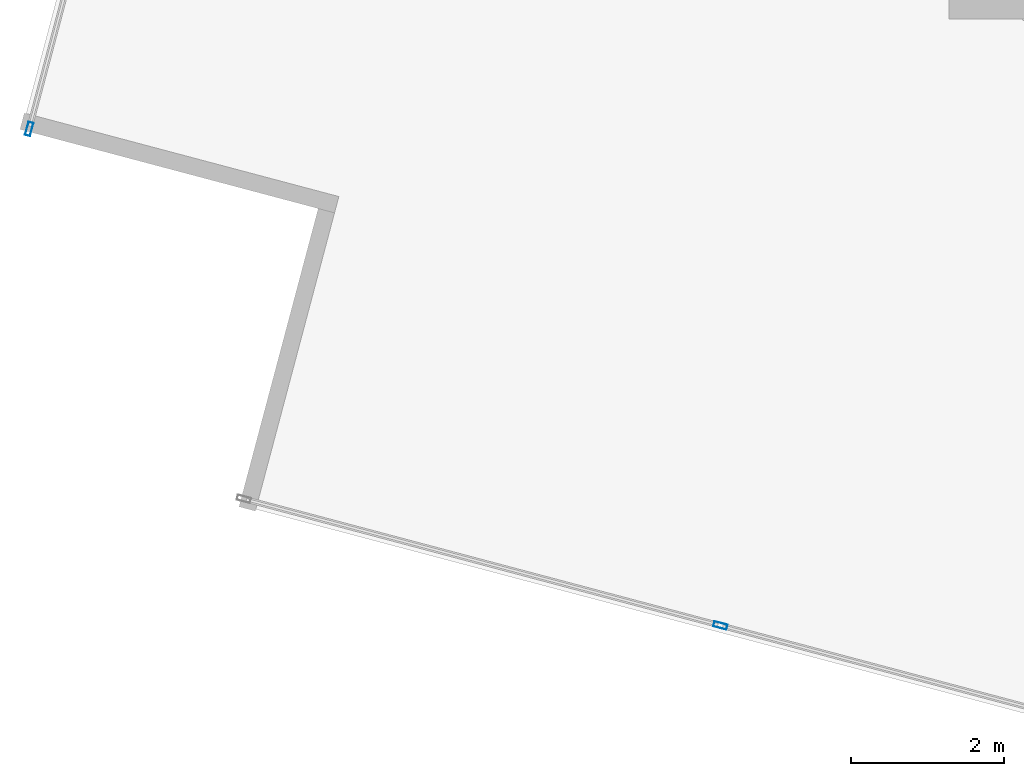
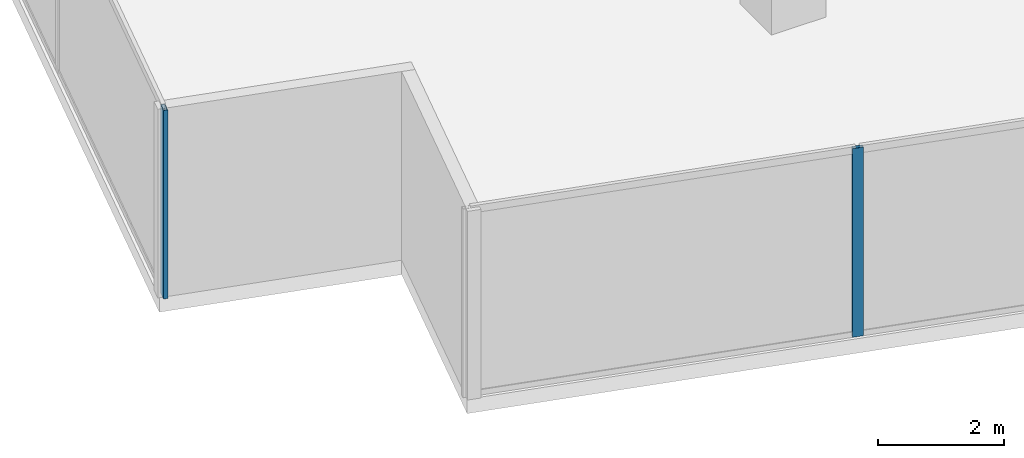
# One storey, part 3 of 27: 2 members, 2 elements without a shape of their own.
"""IFC4 building model written with IfcOpenShell, lengths in metres."""

from ifc_helpers import new_model, si_unit, direction, frame, origin, origin_2d, place, context, subcontext, project, spatial, hollow_rectangle, extrude, source, transform, mapped, material, material_profile, profile_set, type_object, type_shapes, element, aggregate, save


model = new_model("IFC4")

# Units and contexts
model_context = context("Model", 3, precision=1e-05, world=origin(), true_north=direction((0.0, 1.0)))
body_context = subcontext(model_context, "Body", "Model", "MODEL_VIEW")
ifc_project = project(units=[si_unit("LENGTHUNIT", "METRE"), si_unit("AREAUNIT", "SQUARE_METRE"), si_unit("VOLUMEUNIT", "CUBIC_METRE"), si_unit("PLANEANGLEUNIT", "RADIAN"), si_unit("MASSUNIT", "GRAM", prefix="KILO")], contexts=[model_context])

# Site, building, storey
site_placement = place(None, origin())
site = spatial("IfcSite", under=ifc_project, at=site_placement, CompositionType="ELEMENT")
building_placement = place(site_placement, origin())
building = spatial("IfcBuilding", under=site, at=building_placement, Name="Krantzveldt Concourse Tower", CompositionType="ELEMENT")
storey_placement = place(building_placement, frame((0.0, 0.0, 105.85009765625)))
storey = spatial("IfcBuildingStorey", under=building, at=storey_placement, Name="L25", CompositionType="ELEMENT", Elevation=105.85009765625)

# Curtain wall, member
ifc_material = material(Name="Anodised aluminium 6063-T6", Category="aluminium")
curtain_wall_type = type_object("IfcCurtainWallType", Name="CW2", PredefinedType="USERDEFINED", material=ifc_material)
curtain_wall_1_placement = place(storey_placement, origin())
curtain_wall_1 = element("IfcCurtainWall", 1, at=curtain_wall_1_placement, inside=storey, type_object=curtain_wall_type, Name="CW-L25-F01", ObjectType="UNITISED CURTAIN WALL", PredefinedType="USERDEFINED")
ifc_material_profile = material_profile(ifc_material, hollow_rectangle(XDim=0.070068359375, YDim=0.179931640625, WallThickness=0.0048828125, at=origin_2d()), Name="Anodised aluminium 6063-T6", Category="aluminium")
ifc_profile_set = profile_set([ifc_material_profile], Name="Anodised aluminium 6063-T6 - ALU-MULL 180x70x5")
member_type = type_object("IfcMemberType", Name="CW-MUL-180", PredefinedType="MULLION", material=ifc_profile_set)
shared_shape = source(origin(), body_context, "Body", "SweptSolid", [
    extrude(hollow_rectangle(XDim=0.070068359375, YDim=0.179931640625, WallThickness=0.0048828125, at=origin_2d()), origin(), (0.0, 0.0, 1.0), 3.669921875),
])
type_shapes(member_type, [shared_shape])
member_1_placement = place(storey_placement, frame((8.5, 13.968017578125, 0.0), z_axis=(0.0, 0.0, 1.0), x_axis=(0.966488186373, -0.256711093648, 0.0)))
member_1 = element("IfcMember", 2, at=member_1_placement, type_object=member_type, Name="CW-Z12 mullion 7", PredefinedType="MULLION", context=body_context, shape_type="MappedRepresentation", body=[
    mapped(shared_shape, transform((0.0, 0.0, 0.0), x_axis=(1.0, 0.0, 0.0), y_axis=(0.0, 1.0, 0.0), z_axis=(0.0, 0.0, 1.0), scale=1.0)),
])
aggregate(curtain_wall_1, [member_1])

curtain_wall_2_placement = place(storey_placement, origin())
curtain_wall_2 = element("IfcCurtainWall", 3, at=curtain_wall_2_placement, inside=storey, type_object=curtain_wall_type, Name="CW-L25-F04", ObjectType="UNITISED CURTAIN WALL", PredefinedType="USERDEFINED")
member_2_placement = place(storey_placement, frame((17.51611328125, 7.4912109375, 0.0), z_axis=(0.0, 0.0, 1.0), x_axis=(0.256711093648, 0.966488186373, 0.0)))
member_2 = element("IfcMember", 4, at=member_2_placement, type_object=member_type, Name="CW-Z12 mullion 2", PredefinedType="MULLION", context=body_context, shape_type="MappedRepresentation", body=[
    mapped(shared_shape, transform((0.0, 0.0, 0.0), x_axis=(1.0, 0.0, 0.0), y_axis=(0.0, 1.0, 0.0), z_axis=(0.0, 0.0, 1.0), scale=1.0)),
])
aggregate(curtain_wall_2, [member_2])

save(model, "model.ifc")
